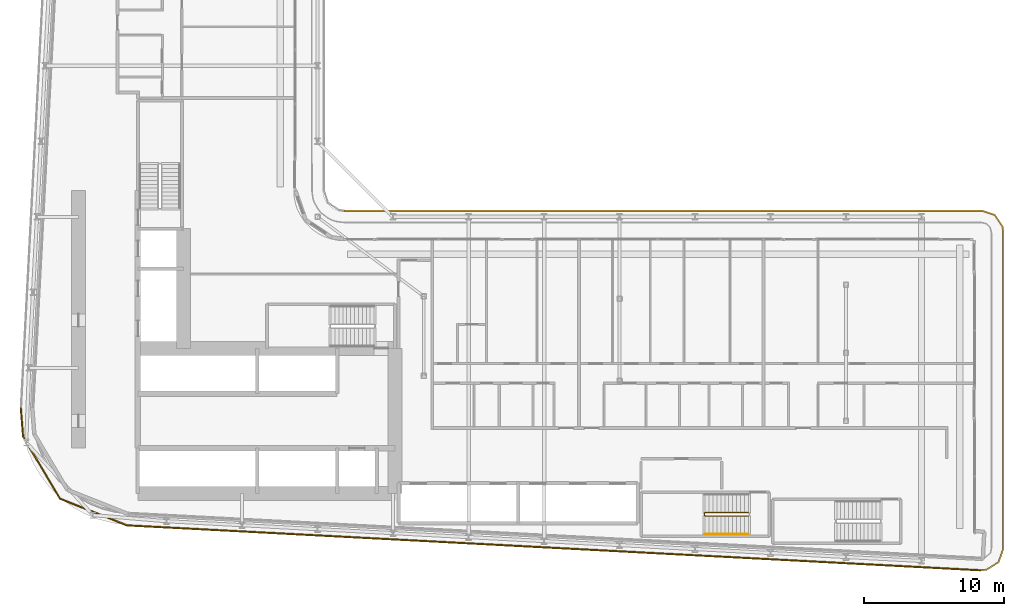
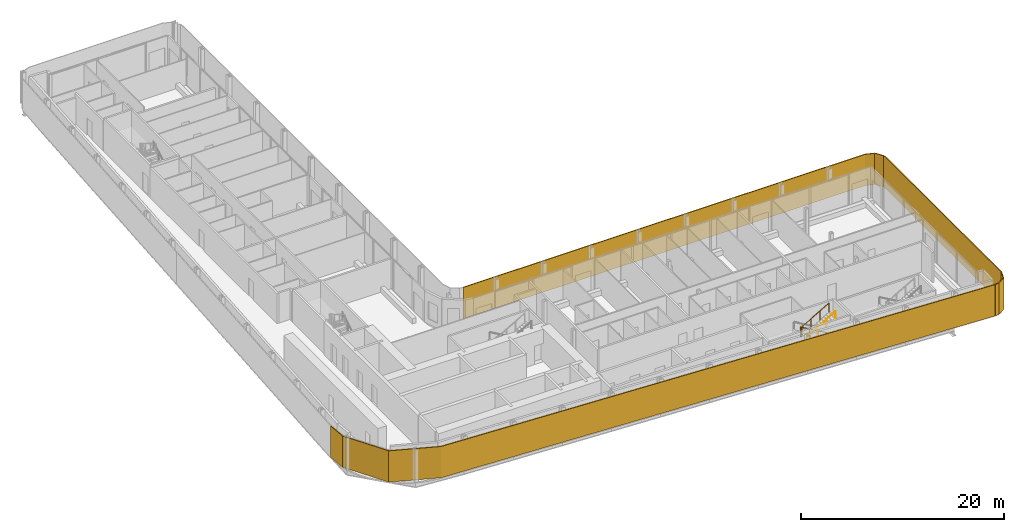
# One storey, part 24 of 28: 2 railings, 2 shading devices.
"""IFC4 building model written with IfcOpenShell, lengths in metres."""

from ifc_helpers import new_model, si_unit, direction, frame, origin, origin_2d, place, context, subcontext, project, spatial, polyline, circle, outline, extrude, material, layer, layer_set, type_object, element, save


model = new_model("IFC4")

# Units and contexts
model_context = context("Model", 3, precision=1e-05, world=origin(), true_north=direction((0.0, 1.0)))
body_context = subcontext(model_context, "Body", "Model", "MODEL_VIEW")
ifc_project = project(units=[si_unit("LENGTHUNIT", "METRE"), si_unit("AREAUNIT", "SQUARE_METRE"), si_unit("VOLUMEUNIT", "CUBIC_METRE"), si_unit("PLANEANGLEUNIT", "RADIAN"), si_unit("MASSUNIT", "GRAM", prefix="KILO")], contexts=[model_context])

# Site, building, storey
site_placement = place(None, origin())
site = spatial("IfcSite", under=ifc_project, at=site_placement, CompositionType="ELEMENT")
building_placement = place(site_placement, origin())
building = spatial("IfcBuilding", under=site, at=building_placement, Name="Kheshtan School and Residences Tower", CompositionType="ELEMENT")
storey_placement = place(building_placement, frame((0.0, 0.0, 42.199951171875)))
storey = spatial("IfcBuildingStorey", under=building, at=storey_placement, Name="L09", CompositionType="ELEMENT", Elevation=42.199951171875)

# Shading devices
ifc_material_1 = material(Name="Terracotta baguette, extruded ceramic", Category="masonry")
ifc_layer_1 = layer(ifc_material_1, 0.10009765625)
ifc_layer_set_1 = layer_set([ifc_layer_1], Name="Ledge screen, terracotta baguettes")
shading_device_type_1 = type_object("IfcShadingDeviceType", Name="Ledge screen, terracotta baguettes", PredefinedType="USERDEFINED", material=ifc_layer_set_1)
shading_device_1_placement = place(storey_placement, origin())
element("IfcShadingDevice", 1, at=shading_device_1_placement, inside=storey, type_object=shading_device_type_1, Name="Screen L09 3", ObjectType="BAGUETTE", PredefinedType="USERDEFINED", context=body_context, shape_type="SweptSolid", body=[
    extrude(outline(polyline([(95.02099609375, 20.366943359375), (33.989013671875, 23.580078125), (29.2119140625, 25.486083984375), (26.583984375, 29.906982421875), (26.419921875, 31.989013671875), (26.320068359375, 31.98095703125), (26.486083984375, 29.8759765625), (29.14306640625, 25.406005859375), (33.967041015625, 23.48095703125), (95.01611328125, 20.26708984375), (95.02099609375, 20.366943359375)])), origin(), (0.0, 0.0, 1.0), 3.75),
])
ifc_material_2 = material(Name="Terracotta lattice, extruded ceramic", Category="masonry")
ifc_layer_2 = layer(ifc_material_2, 0.10009765625)
ifc_layer_set_2 = layer_set([ifc_layer_2], Name="Loggia screen, terracotta lattice")
shading_device_type_2 = type_object("IfcShadingDeviceType", Name="Loggia screen, terracotta lattice", PredefinedType="USERDEFINED", material=ifc_layer_set_2)
shading_device_2_placement = place(storey_placement, origin())
element("IfcShadingDevice", 2, at=shading_device_2_placement, inside=storey, type_object=shading_device_type_2, Name="Screen L09 2", ObjectType="SCREEN", PredefinedType="USERDEFINED", context=body_context, shape_type="SweptSolid", body=[
    extrude(outline(polyline([(49.5, 46.0), (95.10009765625, 46.0), (96.012939453125, 45.68994140625), (96.549072265625, 44.887939453125), (96.60009765625, 44.5), (96.60009765625, 21.864990234375), (96.27001953125, 20.926025390625), (95.424072265625, 20.40087890625), (95.02099609375, 20.366943359375), (95.029052734375, 20.26708984375), (95.4560546875, 20.302978515625), (96.35302734375, 20.860107421875), (96.699951171875, 21.847900390625), (96.699951171875, 44.507080078125), (96.64501953125, 44.924072265625), (96.076904296875, 45.77392578125), (95.116943359375, 46.10009765625), (49.5, 46.10009765625), (49.5, 46.0)])), origin(), (0.0, 0.0, 1.0), 3.75),
])

# Railings
ifc_material_3 = material(Name="Stainless steel balustrade", Category="steel")
railing_type_1 = type_object("IfcRailingType", Name="Stair guard 1100", PredefinedType="GUARDRAIL", material=ifc_material_3)
railing_1_placement = place(storey_placement, frame((78.409912109375, 24.449951171875, 0.16259765625)))
element("IfcRailing", 3, at=railing_1_placement, inside=storey, type_object=railing_type_1, Name="L09 ST5 stair guard 1", PredefinedType="GUARDRAIL", context=body_context, shape_type="SweptSolid", body=[
    extrude(circle(Radius=0.02392578125, at=origin_2d()), frame((0.0, 0.0, 1.076171875), z_axis=(-0.864903211148, 0.0, 0.501938676878), x_axis=(0.0, -1.0, 0.0)), (0.0, 0.0, 1.0), 3.560791015625),
    extrude(circle(Radius=0.02392578125, at=origin_2d()), frame((-3.079833984375, 0.0, 2.86328125), z_axis=(-0.707106781187, -0.707106781187, 0.0), x_axis=(0.707106781187, -0.707106781187, 0.0)), (0.0, 0.0, 1.0), 0.07080078125),
    extrude(circle(Radius=0.02392578125, at=origin_2d()), frame((-3.1298828125, -0.050048828125, 2.86328125), z_axis=(0.0, -1.0, 0.0), x_axis=(1.0, 0.0, 0.0)), (0.0, 0.0, 1.0), 0.14990234375),
    extrude(circle(Radius=0.02392578125, at=origin_2d()), frame((-3.1298828125, -0.199951171875, 2.86328125), z_axis=(0.282227285176, -0.282227285176, 0.916894497205), x_axis=(0.707106781187, 0.707106781187, 0.0)), (0.0, 0.0, 1.0), 0.17724609375),
    extrude(circle(Radius=0.02392578125, at=origin_2d()), frame((-3.079833984375, -0.25, 3.02587890625), z_axis=(0.864873446163, 0.0, 0.501989962173), x_axis=(0.0, 1.0, 0.0)), (0.0, 0.0, 1.0), 3.56103515625),
    extrude(circle(Radius=0.02099609375, at=origin_2d()), origin(), (0.0, 0.0, 1.0), 1.052001953125),
    extrude(circle(Radius=0.02099609375, at=origin_2d()), frame((-1.026611328125, 0.0, 0.595703125)), (0.0, 0.0, 1.0), 1.052001953125),
    extrude(circle(Radius=0.02099609375, at=origin_2d()), frame((-2.05322265625, 0.0, 1.191650390625)), (0.0, 0.0, 1.0), 1.052001953125),
    extrude(circle(Radius=0.02099609375, at=origin_2d()), frame((-3.079833984375, 0.0, 1.787353515625)), (0.0, 0.0, 1.0), 1.052001953125),
    extrude(circle(Radius=0.02099609375, at=origin_2d()), frame((-3.1298828125, -0.050048828125, 1.787353515625)), (0.0, 0.0, 1.0), 1.052001953125),
    extrude(circle(Radius=0.02099609375, at=origin_2d()), frame((-3.1298828125, -0.199951171875, 1.787353515625)), (0.0, 0.0, 1.0), 1.052001953125),
    extrude(circle(Radius=0.02099609375, at=origin_2d()), frame((-3.079833984375, -0.25, 1.949951171875)), (0.0, 0.0, 1.0), 1.052001953125),
    extrude(circle(Radius=0.02099609375, at=origin_2d()), frame((-2.05322265625, -0.25, 2.5458984375)), (0.0, 0.0, 1.0), 1.052001953125),
    extrude(circle(Radius=0.02099609375, at=origin_2d()), frame((-1.026611328125, -0.25, 3.1416015625)), (0.0, 0.0, 1.0), 1.052001953125),
    extrude(circle(Radius=0.02099609375, at=origin_2d()), frame((0.0, -0.25, 3.737548828125)), (0.0, 0.0, 1.0), 1.052001953125),
])
ifc_material_4 = material(Name="Stainless steel handrail", Category="steel")
railing_type_2 = type_object("IfcRailingType", Name="Stair handrail 900", PredefinedType="HANDRAIL", material=ifc_material_4)
railing_2_placement = place(storey_placement, frame((75.330078125, 22.89990234375, 2.112548828125)))
element("IfcRailing", 4, at=railing_2_placement, inside=storey, type_object=railing_type_2, Name="L09 ST5 stair handrail 2", PredefinedType="HANDRAIL", context=body_context, shape_type="SweptSolid", body=[
    extrude(circle(Radius=0.02392578125, at=origin_2d()), frame((0.0, 0.0, 0.8759765625), z_axis=(0.864873446163, 0.0, 0.501989962173), x_axis=(0.0, 1.0, 0.0)), (0.0, 0.0, 1.0), 3.56103515625),
    extrude(circle(Radius=0.02099609375, at=origin_2d()), origin(), (0.0, 0.0, 1.0), 0.851806640625),
    extrude(circle(Radius=0.02099609375, at=origin_2d()), frame((1.026611328125, 0.0, 0.595947265625)), (0.0, 0.0, 1.0), 0.851806640625),
    extrude(circle(Radius=0.02099609375, at=origin_2d()), frame((2.05322265625, 0.0, 1.191650390625)), (0.0, 0.0, 1.0), 0.851806640625),
    extrude(circle(Radius=0.02099609375, at=origin_2d()), frame((3.079833984375, 0.0, 1.78759765625)), (0.0, 0.0, 1.0), 0.851806640625),
])

save(model, "model.ifc")
